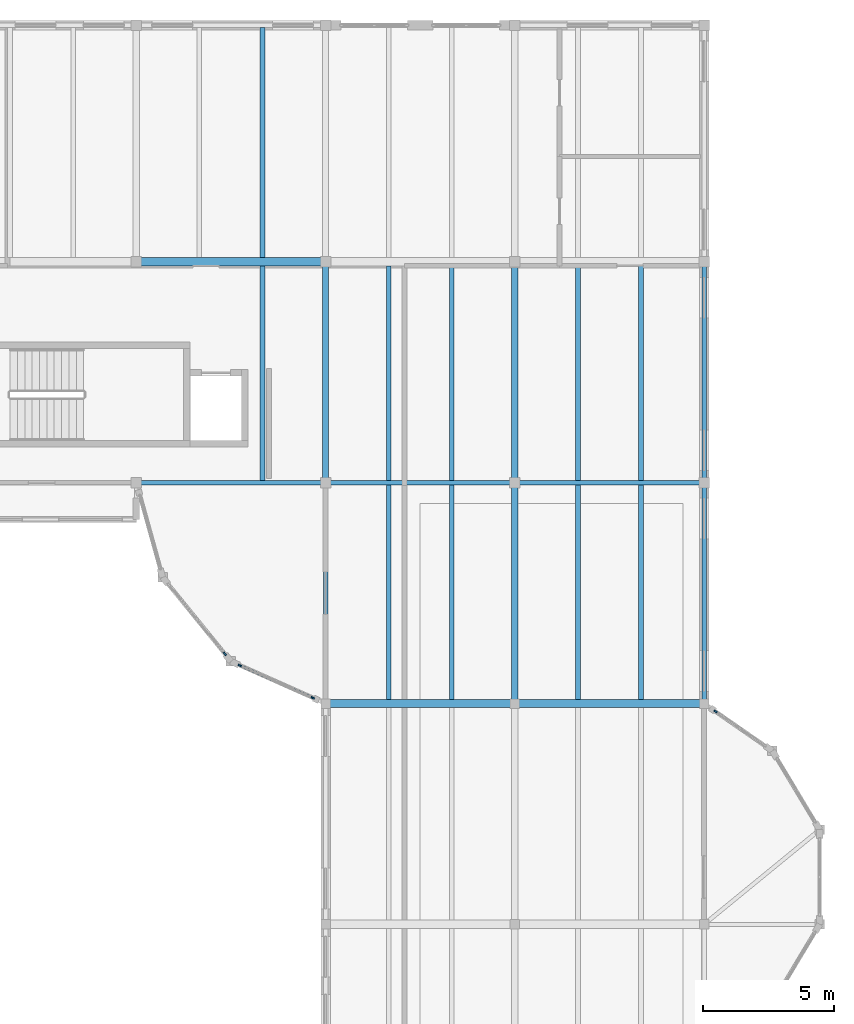
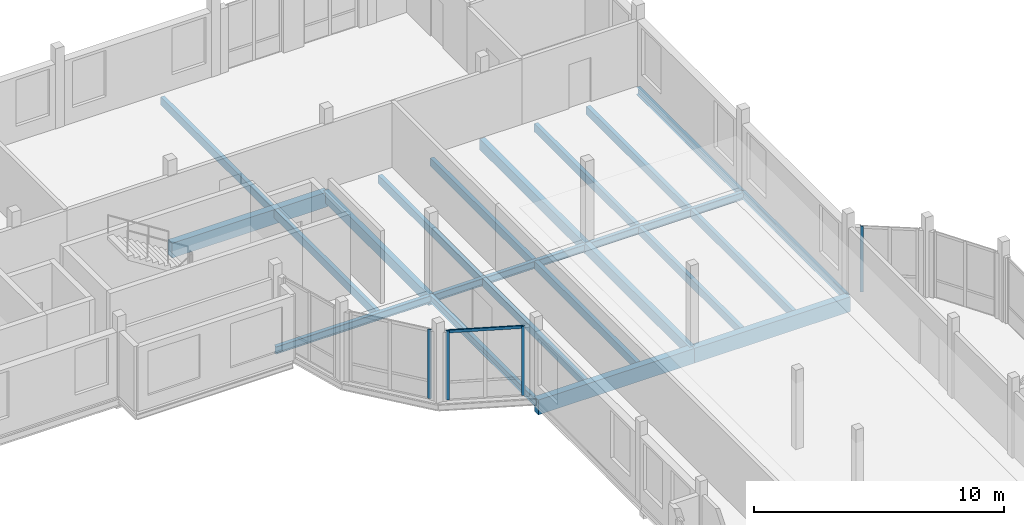
# One storey, part 20 of 57: 22 beams, 5 members, 3 elements without a shape of their own.
"""IFC4 building model written with IfcOpenShell, lengths in metres."""

import ifcopenshell
import ifcopenshell.guid

model = None  # the IFC model being written
_history = None  # IfcOwnerHistory: only IFC2X3 demands one
_inside = {}  # id of a spatial element -> (the spatial element, [elements in it])
_under = {}  # id of a project, library or spatial element -> (it, [spatial elements below it])
_declared = {}  # id of a project -> (the project, [libraries it declares])
_typed = {}  # id of a type object -> (the type object, [elements of that type])
_made_of = {}  # id of a material, layer set ... -> (it, [elements and type objects made of it])


def new_model(schema):
    """Start an empty IFC model of exactly this schema.

    Asked for "IFC4X3", IfcOpenShell would pick the latest addendum, in which some entities
    have other attributes; the version numbers below select the first issue.
    IFC2X3 requires an IfcOwnerHistory on every rooted entity: one is made here for all.
    """
    global model, _history
    if schema == "IFC4X3":
        model = ifcopenshell.file(schema_version=(4, 3, 0, 0))
    else:
        model = ifcopenshell.file(schema=schema)
    _inside.clear()
    _under.clear()
    _declared.clear()
    _typed.clear()
    _made_of.clear()
    _history = None
    if model.schema == "IFC2X3":
        org = make("IfcOrganization", Name="unknown")
        user = make(
            "IfcPersonAndOrganization",
            ThePerson=make("IfcPerson", FamilyName="unknown"),
            TheOrganization=org,
        )
        app = make(
            "IfcApplication",
            ApplicationDeveloper=org,
            Version="unknown",
            ApplicationFullName="unknown",
            ApplicationIdentifier="unknown",
        )
        _history = make(
            "IfcOwnerHistory",
            OwningUser=user,
            OwningApplication=app,
            ChangeAction="ADDED",
            CreationDate=0,
        )
    return model


def make(cls, **values):
    """One entity of the class cls with the attributes given. An attribute that is None is left unset."""
    return model.create_entity(
        cls, **{name: value for name, value in values.items() if value is not None}
    )


def rooted(cls, **values):
    """An entity with a GlobalId (a new one), such as an element, a storey or a relation."""
    return make(cls, GlobalId=ifcopenshell.guid.new(), OwnerHistory=_history, **values)


def si_unit(unit_type, name, prefix=None):
    """IfcSIUnit, for example si_unit("LENGTHUNIT", "METRE", prefix="MILLI")."""
    return make("IfcSIUnit", UnitType=unit_type, Prefix=prefix, Name=name)


def assignment(units):
    """IfcUnitAssignment: the units of a project."""
    return None if units is None else make("IfcUnitAssignment", Units=units)


def point(xyz):
    """IfcCartesianPoint."""
    return None if xyz is None else make("IfcCartesianPoint", Coordinates=xyz)


def direction(xyz):
    """IfcDirection."""
    return None if xyz is None else make("IfcDirection", DirectionRatios=xyz)


def frame(location, z_axis=None, x_axis=None):
    """IfcAxis2Placement3D, a coordinate frame: its origin and axes. An axis left out is left unset."""
    return make(
        "IfcAxis2Placement3D",
        Location=point(location),
        Axis=direction(z_axis),
        RefDirection=direction(x_axis),
    )


def frame_2d(location, x_axis=None):
    """IfcAxis2Placement2D, a coordinate frame in the plane: its origin and x axis."""
    return make(
        "IfcAxis2Placement2D", Location=point(location), RefDirection=direction(x_axis)
    )


def origin():
    """The frame at (0, 0, 0) with its axes left unset."""
    return frame((0.0, 0.0, 0.0))


def origin_2d():
    """The frame at (0, 0) in the plane with its x axis left unset."""
    return frame_2d((0.0, 0.0))


def place(relative_to, where):
    """IfcLocalPlacement: puts the frame where relative to a parent placement (None: the world)."""
    return make(
        "IfcLocalPlacement", PlacementRelTo=relative_to, RelativePlacement=where
    )


def context(
    kind, dimensions, precision=None, world=None, true_north=None, identifier=None
):
    """IfcGeometricRepresentationContext, for example the 3D "Model" context."""
    return make(
        "IfcGeometricRepresentationContext",
        ContextIdentifier=identifier,
        ContextType=kind,
        CoordinateSpaceDimension=dimensions,
        Precision=precision,
        WorldCoordinateSystem=world,
        TrueNorth=true_north,
    )


def subcontext(parent, identifier, kind, view, scale=None):
    """IfcGeometricRepresentationSubContext, for example "Body" below "Model"."""
    return make(
        "IfcGeometricRepresentationSubContext",
        ContextIdentifier=identifier,
        ContextType=kind,
        ParentContext=parent,
        TargetScale=scale,
        TargetView=view,
    )


def project(units=None, contexts=None):
    """IfcProject with its units and contexts."""
    return rooted(
        "IfcProject",
        Name="project",
        RepresentationContexts=contexts,
        UnitsInContext=assignment(units),
    )


def spatial(cls, under=None, at=None, **own):
    """A site, building, storey or space (cls), placed at a placement, below another one or the project."""
    s = rooted(cls, ObjectPlacement=at, **own)
    if under is not None:
        _under.setdefault(under.id(), (under, []))[1].append(s)
    return s


def profile(cls, at=None, kind="AREA", **sizes):
    """A parametric profile (cls). Its sizes go by their IFC names, for example OverallWidth=200.0."""
    return make(cls, ProfileType=kind, Position=at, **sizes)


def rectangle(**sizes):
    """IfcRectangleProfileDef."""
    return profile("IfcRectangleProfileDef", **sizes)


def i_section(**sizes):
    """IfcIShapeProfileDef."""
    return profile("IfcIShapeProfileDef", **sizes)


def extrude(swept, where, along, depth):
    """IfcExtrudedAreaSolid: the profile swept, set in the frame where, extruded along a direction by depth."""
    return make(
        "IfcExtrudedAreaSolid",
        SweptArea=swept,
        Position=where,
        ExtrudedDirection=direction(along),
        Depth=depth,
    )


def shape(context_of_items, identifier, shape_type, items):
    """IfcShapeRepresentation: the items that make up one representation, for example the "Body"."""
    return make(
        "IfcShapeRepresentation",
        ContextOfItems=context_of_items,
        RepresentationIdentifier=identifier,
        RepresentationType=shape_type,
        Items=items,
    )


def material(Name=None, Category=None):
    """IfcMaterial."""
    return make("IfcMaterial", Name=Name, Category=Category)


def material_profile(
    of_material, cross_section, Name=None, Category=None, Priority=None
):
    """IfcMaterialProfile: a cross section and its material."""
    return make(
        "IfcMaterialProfile",
        Name=Name,
        Material=of_material,
        Profile=cross_section,
        Priority=Priority,
        Category=Category,
    )


def profile_set(profiles, Name=None, composite=None):
    """IfcMaterialProfileSet."""
    return make(
        "IfcMaterialProfileSet",
        Name=Name,
        MaterialProfiles=profiles,
        CompositeProfile=composite,
    )


def made_of(thing, what):
    """Note that an element or type object is made of a material, layer set ...; save() writes the relation."""
    if what is not None:
        _made_of.setdefault(what.id(), (what, []))[1].append(thing)
    return thing


def type_object(cls, material=None, **own):
    """A type object (cls), such as IfcWallType, which elements share."""
    return made_of(rooted(cls, **own), material)


def element(
    cls,
    number,
    at=None,
    inside=None,
    cuts=None,
    type_object=None,
    material=None,
    context=None,
    identifier="Body",
    shape_type=None,
    held_by="IfcProductDefinitionShape",
    body=None,
    shapes=None,
    **own,
):
    """One element of the class cls, such as IfcWall. Its Tag is "e" and its number.

    at: its placement. inside: the storey or other place that contains it. cuts: it is an
    opening in that element (IfcRelVoidsElement). A single representation is given by context,
    identifier, shape_type and body (its items); several are given by shapes. held_by: the class
    of the entity that holds the representations. save() writes the other relations.
    """
    e = rooted(cls, Tag="e%d" % number, ObjectPlacement=at, **own)
    if body is not None:
        shapes = [shape(context, identifier, shape_type, body)]
    if shapes is not None:
        e.Representation = make(held_by, Representations=shapes)
    if inside is not None:
        _inside.setdefault(inside.id(), (inside, []))[1].append(e)
    if cuts is not None:
        rooted(
            "IfcRelVoidsElement", RelatingBuildingElement=cuts, RelatedOpeningElement=e
        )
    if type_object is not None:
        _typed.setdefault(type_object.id(), (type_object, []))[1].append(e)
    return made_of(e, material)


def aggregate(whole, parts):
    """IfcRelAggregates: a whole, such as a stair, and the parts it consists of."""
    return rooted("IfcRelAggregates", RelatingObject=whole, RelatedObjects=parts)


def save(model, path):
    """Write the relations noted so far, then the file.

    IfcRelAggregates (storeys below a building ...), IfcRelContainedInSpatialStructure (elements
    in a storey), IfcRelDefinesByType, IfcRelAssociatesMaterial and IfcRelDeclares: one each for
    every whole, place, type object, material and project.
    """
    for whole, parts in _under.values():
        aggregate(whole, parts)
    for where, things in _inside.values():
        rooted(
            "IfcRelContainedInSpatialStructure",
            RelatedElements=things,
            RelatingStructure=where,
        )
    for kind, things in _typed.values():
        rooted("IfcRelDefinesByType", RelatedObjects=things, RelatingType=kind)
    for what, things in _made_of.values():
        rooted("IfcRelAssociatesMaterial", RelatedObjects=things, RelatingMaterial=what)
    for by, libraries in _declared.values():
        rooted("IfcRelDeclares", RelatingContext=by, RelatedDefinitions=libraries)
    model.write(path)


model = new_model("IFC4")

# Units and contexts
model_context = context("Model", 3, precision=1e-05, world=origin(), true_north=direction((0.0, 1.0)))
body_context = subcontext(model_context, "Body", "Model", "MODEL_VIEW")
ifc_project = project(units=[si_unit("LENGTHUNIT", "METRE"), si_unit("AREAUNIT", "SQUARE_METRE"), si_unit("VOLUMEUNIT", "CUBIC_METRE"), si_unit("PLANEANGLEUNIT", "RADIAN"), si_unit("MASSUNIT", "GRAM", prefix="KILO")], contexts=[model_context])

# Site, building, storey
site_placement = place(None, origin())
site = spatial("IfcSite", under=ifc_project, at=site_placement, CompositionType="ELEMENT")
building_placement = place(site_placement, origin())
building = spatial("IfcBuilding", under=site, at=building_placement, Name="Kahlenmark Community Centre", CompositionType="ELEMENT")
storey_placement = place(building_placement, frame((0.0, 0.0, 13.800048828125)))
storey = spatial("IfcBuildingStorey", under=building, at=storey_placement, Name="L03", CompositionType="ELEMENT", Elevation=13.800048828125)

# Beams
ifc_material_1 = material(Name="Glulam GL32h", Category="wood")
ifc_material_profile_1 = material_profile(ifc_material_1, rectangle(XDim=0.239990234375, YDim=0.52001953125, at=origin_2d()), Name="GL32h 240x520")
ifc_profile_set_1 = profile_set([ifc_material_profile_1], Name="Glulam GL32h")
beam_type_1 = type_object("IfcBeamType", Name="BT-BEAM-GL32h240x520", PredefinedType="BEAM", material=ifc_profile_set_1)
for number, where, z_axis, x_axis, name in (
    (1, (72.39990234375, 97.60009765625, -0.47998046875), (0.0, 1.0, 0.0), (-1.0, 0.0, 0.0), "L03 beam BG-GL32h240x520"),
    (2, (79.60009765625, 97.60009765625, -0.47998046875), (0.0, 1.0, 0.0), (-1.0, 0.0, 0.0), "L03 beam BG-GL32h240x520"),
):
    element("IfcBeam", number, at=place(storey_placement, frame(where, z_axis=z_axis, x_axis=x_axis)), inside=storey, type_object=beam_type_1, Name=name, PredefinedType="BEAM", context=body_context, shape_type="SweptSolid", body=[
        extrude(rectangle(XDim=0.239990234375, YDim=0.52001953125, at=origin_2d()), origin(), (0.0, 0.0, 1.0), 8.39990234375),
    ])
beam_1_placement = place(storey_placement, frame((79.60009765625, 89.199951171875, -0.4599609375), z_axis=(0.0, 1.0, 0.0), x_axis=(-1.0, 0.0, 0.0)))
element("IfcBeam", 3, at=beam_1_placement, inside=storey, type_object=beam_type_1, Name="L03 beam BG-GL32h240x520", PredefinedType="BEAM", context=body_context, shape_type="SweptSolid", body=[
    extrude(rectangle(XDim=0.239990234375, YDim=0.52001953125, at=origin_2d()), origin(), (0.0, 0.0, 1.0), 8.400146484375),
])
ifc_material_profile_2 = material_profile(ifc_material_1, rectangle(XDim=0.320068359375, YDim=0.719970703125, at=origin_2d()), Name="GL32h 320x720")
ifc_profile_set_2 = profile_set([ifc_material_profile_2], Name="Glulam GL32h")
beam_type_2 = type_object("IfcBeamType", Name="BT-BEAM-GL32h320x720", PredefinedType="BEAM", material=ifc_profile_set_2)
beam_2_placement = place(storey_placement, frame((65.199951171875, 106.0, -0.580078125), z_axis=(1.0, 0.0, 0.0), x_axis=(0.0, 1.0, 0.0)))
element("IfcBeam", 4, at=beam_2_placement, inside=storey, type_object=beam_type_2, Name="L03 beam BG-GL32h320x720", PredefinedType="BEAM", context=body_context, shape_type="SweptSolid", body=[
    extrude(rectangle(XDim=0.320068359375, YDim=0.719970703125, at=origin_2d()), origin(), (0.0, 0.0, 1.0), 7.199951171875),
])
beam_3_placement = place(storey_placement, frame((72.39990234375, 89.199951171875, -0.56005859375), z_axis=(1.0, 0.0, 0.0), x_axis=(0.0, 1.0, 0.0)))
element("IfcBeam", 5, at=beam_3_placement, inside=storey, type_object=beam_type_2, Name="L03 beam BG-GL32h320x720", PredefinedType="BEAM", context=body_context, shape_type="SweptSolid", body=[
    extrude(rectangle(XDim=0.320068359375, YDim=0.719970703125, at=origin_2d()), origin(), (0.0, 0.0, 1.0), 7.2001953125),
])
beam_4_placement = place(storey_placement, frame((79.60009765625, 89.199951171875, -0.56005859375), z_axis=(1.0, 0.0, 0.0), x_axis=(0.0, 1.0, 0.0)))
element("IfcBeam", 6, at=beam_4_placement, inside=storey, type_object=beam_type_2, Name="L03 beam BG-GL32h320x720", PredefinedType="BEAM", context=body_context, shape_type="SweptSolid", body=[
    extrude(rectangle(XDim=0.320068359375, YDim=0.719970703125, at=origin_2d()), origin(), (0.0, 0.0, 1.0), 7.199951171875),
])
ifc_material_2 = material(Name="Glulam GL28h", Category="wood")
ifc_material_profile_3 = material_profile(ifc_material_2, rectangle(XDim=0.179931640625, YDim=0.39990234375, at=origin_2d()), Name="GL28h 180x400")
ifc_profile_set_3 = profile_set([ifc_material_profile_3], Name="Glulam GL28h")
beam_type_3 = type_object("IfcBeamType", Name="BT-JOIST-GL28h180x400", PredefinedType="JOIST", material=ifc_profile_set_3)
beam_5_placement = place(storey_placement, frame((70.0, 97.68310546875, -0.420166015625), z_axis=(0.0, 1.0, 0.0), x_axis=(-1.0, 0.0, 0.0)))
element("IfcBeam", 7, at=beam_5_placement, inside=storey, type_object=beam_type_3, Name="L03 joist BJ-GL28h180x400", PredefinedType="JOIST", context=body_context, shape_type="SweptSolid", body=[
    extrude(rectangle(XDim=0.179931640625, YDim=0.39990234375, at=origin_2d()), origin(), (0.0, 0.0, 1.0), 8.158935546875),
])
beam_6_placement = place(storey_placement, frame((70.0, 106.157958984375, -0.420166015625), z_axis=(0.0, 1.0, 0.0), x_axis=(-1.0, 0.0, 0.0)))
element("IfcBeam", 8, at=beam_6_placement, inside=storey, type_object=beam_type_3, Name="L03 joist BJ-GL28h180x400", PredefinedType="JOIST", context=body_context, shape_type="SweptSolid", body=[
    extrude(rectangle(XDim=0.179931640625, YDim=0.39990234375, at=origin_2d()), origin(), (0.0, 0.0, 1.0), 8.759033203125),
])
for number, where, z_axis, x_axis, name in (
    (9, (74.800048828125, 97.68310546875, -0.420166015625), (0.0, 1.0, 0.0), (-1.0, 0.0, 0.0), "L03 joist BJ-GL28h180x400"),
    (10, (77.199951171875, 97.68310546875, -0.420166015625), (0.0, 1.0, 0.0), (-1.0, 0.0, 0.0), "L03 joist BJ-GL28h180x400"),
    (11, (82.0, 97.68310546875, -0.420166015625), (0.0, 1.0, 0.0), (-1.0, 0.0, 0.0), "L03 joist BJ-GL28h180x400"),
    (12, (84.39990234375, 97.68310546875, -0.420166015625), (0.0, 1.0, 0.0), (-1.0, 0.0, 0.0), "L03 joist BJ-GL28h180x400"),
):
    element("IfcBeam", number, at=place(storey_placement, frame(where, z_axis=z_axis, x_axis=x_axis)), inside=storey, type_object=beam_type_3, Name=name, PredefinedType="JOIST", context=body_context, shape_type="SweptSolid", body=[
        extrude(rectangle(XDim=0.179931640625, YDim=0.39990234375, at=origin_2d()), origin(), (0.0, 0.0, 1.0), 8.158935546875),
    ])
for number, where, z_axis, x_axis, name in (
    (13, (74.800048828125, 89.35791015625, -0.400146484375), (0.0, 1.0, 0.0), (-1.0, 0.0, 0.0), "L03 joist BJ-GL28h180x400"),
    (14, (77.199951171875, 89.35791015625, -0.400146484375), (0.0, 1.0, 0.0), (-1.0, 0.0, 0.0), "L03 joist BJ-GL28h180x400"),
    (15, (82.0, 89.35791015625, -0.400146484375), (0.0, 1.0, 0.0), (-1.0, 0.0, 0.0), "L03 joist BJ-GL28h180x400"),
    (16, (84.39990234375, 89.35791015625, -0.400146484375), (0.0, 1.0, 0.0), (-1.0, 0.0, 0.0), "L03 joist BJ-GL28h180x400"),
):
    element("IfcBeam", number, at=place(storey_placement, frame(where, z_axis=z_axis, x_axis=x_axis)), inside=storey, type_object=beam_type_3, Name=name, PredefinedType="JOIST", context=body_context, shape_type="SweptSolid", body=[
        extrude(rectangle(XDim=0.179931640625, YDim=0.39990234375, at=origin_2d()), origin(), (0.0, 0.0, 1.0), 8.1591796875),
    ])
ifc_material_3 = material(Name="Steel S355", Category="steel")
ifc_material_profile_4 = material_profile(ifc_material_3, i_section(OverallWidth=0.169921875, OverallDepth=0.360107421875, WebThickness=0.008056640625, FlangeThickness=0.0126953125, at=origin_2d()), Name="IPE 360")
ifc_profile_set_4 = profile_set([ifc_material_profile_4], Name="Steel S355")
beam_type_4 = type_object("IfcBeamType", Name="BT-SPANDREL-IPE360", PredefinedType="SPANDREL", material=ifc_profile_set_4)
beam_7_placement = place(storey_placement, frame((65.199951171875, 97.60009765625, -0.400146484375), z_axis=(1.0, 0.0, 0.0), x_axis=(0.0, 1.0, 0.0)))
element("IfcBeam", 17, at=beam_7_placement, inside=storey, type_object=beam_type_4, Name="L03 spandrel SP-IPE360", PredefinedType="SPANDREL", context=body_context, shape_type="SweptSolid", body=[
    extrude(i_section(OverallWidth=0.169921875, OverallDepth=0.360107421875, WebThickness=0.008056640625, FlangeThickness=0.0126953125, at=origin_2d()), origin(), (0.0, 0.0, 1.0), 7.199951171875),
])
beam_8_placement = place(storey_placement, frame((72.39990234375, 97.60009765625, -0.400146484375), z_axis=(1.0, 0.0, 0.0), x_axis=(0.0, 1.0, 0.0)))
element("IfcBeam", 18, at=beam_8_placement, inside=storey, type_object=beam_type_4, Name="L03 spandrel SP-IPE360", PredefinedType="SPANDREL", context=body_context, shape_type="SweptSolid", body=[
    extrude(i_section(OverallWidth=0.169921875, OverallDepth=0.360107421875, WebThickness=0.008056640625, FlangeThickness=0.0126953125, at=origin_2d()), origin(), (0.0, 0.0, 1.0), 7.2001953125),
])
beam_9_placement = place(storey_placement, frame((79.60009765625, 97.60009765625, -0.400146484375), z_axis=(1.0, 0.0, 0.0), x_axis=(0.0, 1.0, 0.0)))
element("IfcBeam", 19, at=beam_9_placement, inside=storey, type_object=beam_type_4, Name="L03 spandrel SP-IPE360", PredefinedType="SPANDREL", context=body_context, shape_type="SweptSolid", body=[
    extrude(i_section(OverallWidth=0.169921875, OverallDepth=0.360107421875, WebThickness=0.008056640625, FlangeThickness=0.0126953125, at=origin_2d()), origin(), (0.0, 0.0, 1.0), 7.199951171875),
])
beam_10_placement = place(storey_placement, frame((86.800048828125, 97.60009765625, -0.400146484375), z_axis=(0.0, 1.0, 0.0), x_axis=(-1.0, 0.0, 0.0)))
element("IfcBeam", 20, at=beam_10_placement, inside=storey, type_object=beam_type_4, Name="L03 spandrel SP-IPE360", PredefinedType="SPANDREL", context=body_context, shape_type="SweptSolid", body=[
    extrude(i_section(OverallWidth=0.169921875, OverallDepth=0.360107421875, WebThickness=0.008056640625, FlangeThickness=0.0126953125, at=origin_2d()), origin(), (0.0, 0.0, 1.0), 8.39990234375),
])
for number, where, z_axis, x_axis, name in (
    (21, (72.39990234375, 89.199951171875, -0.380126953125), (0.0, 1.0, 0.0), (-1.0, 0.0, 0.0), "L03 spandrel SP-IPE360"),
    (22, (86.800048828125, 89.199951171875, -0.380126953125), (0.0, 1.0, 0.0), (-1.0, 0.0, 0.0), "L03 spandrel SP-IPE360"),
):
    element("IfcBeam", number, at=place(storey_placement, frame(where, z_axis=z_axis, x_axis=x_axis)), inside=storey, type_object=beam_type_4, Name=name, PredefinedType="SPANDREL", context=body_context, shape_type="SweptSolid", body=[
        extrude(i_section(OverallWidth=0.169921875, OverallDepth=0.360107421875, WebThickness=0.008056640625, FlangeThickness=0.0126953125, at=origin_2d()), origin(), (0.0, 0.0, 1.0), 8.400146484375),
    ])

# Curtain wall, member
ifc_material_4 = material(Name="Anodised aluminium unitised curtain wall", Category="aluminium")
curtain_wall_type_1 = type_object("IfcCurtainWallType", Name="CWT-UNIT-232X320", PredefinedType="USERDEFINED", material=ifc_material_4)
curtain_wall_1_placement = place(storey_placement, origin())
curtain_wall_1 = element("IfcCurtainWall", 23, at=curtain_wall_1_placement, inside=storey, type_object=curtain_wall_type_1, Name="Unitised curtain wall CW-165", ObjectType="UNITISED CURTAIN WALL", PredefinedType="USERDEFINED")
ifc_material_5 = material(Name="Anodised aluminium 6063-T6", Category="aluminium")
ifc_material_profile_5 = material_profile(ifc_material_5, rectangle(XDim=0.06005859375, YDim=0.139892578125, at=origin_2d()), Name="ALU MULLION 60x140")
ifc_profile_set_5 = profile_set([ifc_material_profile_5], Name="Anodised aluminium 6063-T6")
member_type_1 = type_object("IfcMemberType", Name="MT-MUL-140", PredefinedType="MULLION", material=ifc_profile_set_5)
member_1_placement = place(storey_placement, frame((87.23583984375, 88.898193359375, 0.0), z_axis=(0.0, 0.0, 1.0), x_axis=(-0.56921208065, -0.822190736534, 0.0)))
member_1 = element("IfcMember", 24, at=member_1_placement, type_object=member_type_1, Name="CW-165 mullion 3", PredefinedType="MULLION", context=body_context, shape_type="SweptSolid", body=[
    extrude(rectangle(XDim=0.06005859375, YDim=0.139892578125, at=origin_2d()), origin(), (0.0, 0.0, 1.0), 3.199951171875),
])
aggregate(curtain_wall_1, [member_1])

curtain_wall_type_2 = type_object("IfcCurtainWallType", Name="CWT-UNIT-344X337", PredefinedType="USERDEFINED", material=ifc_material_4)
curtain_wall_2_placement = place(storey_placement, origin())
curtain_wall_2 = element("IfcCurtainWall", 25, at=curtain_wall_2_placement, inside=storey, type_object=curtain_wall_type_2, Name="Unitised curtain wall CW-183", ObjectType="UNITISED CURTAIN WALL", PredefinedType="USERDEFINED")
member_2_placement = place(storey_placement, frame((68.566650390625, 91.087158203125, 0.0), z_axis=(0.0, 0.0, 1.0), x_axis=(0.776109145231, 0.63059860029, 0.0)))
member_2 = element("IfcMember", 26, at=member_2_placement, type_object=member_type_1, Name="CW-183 mullion 3", PredefinedType="MULLION", context=body_context, shape_type="SweptSolid", body=[
    extrude(rectangle(XDim=0.06005859375, YDim=0.139892578125, at=origin_2d()), origin(), (0.0, 0.0, 1.0), 3.369873046875),
])
aggregate(curtain_wall_2, [member_2])

# Curtain wall, members
curtain_wall_type_3 = type_object("IfcCurtainWallType", Name="CWT-UNIT-310X337", PredefinedType="USERDEFINED", material=ifc_material_4)
curtain_wall_3_placement = place(storey_placement, origin())
curtain_wall_3 = element("IfcCurtainWall", 27, at=curtain_wall_3_placement, inside=storey, type_object=curtain_wall_type_3, Name="Unitised curtain wall CW-184", ObjectType="UNITISED CURTAIN WALL", PredefinedType="USERDEFINED")
member_3_placement = place(storey_placement, frame((69.13818359375, 90.649658203125, 0.0), z_axis=(0.0, 0.0, 1.0), x_axis=(0.406125882643, 0.913817141143, 0.0)))
member_3 = element("IfcMember", 28, at=member_3_placement, type_object=member_type_1, Name="CW-184 mullion 1", PredefinedType="MULLION", context=body_context, shape_type="SweptSolid", body=[
    extrude(rectangle(XDim=0.06005859375, YDim=0.139892578125, at=origin_2d()), origin(), (0.0, 0.0, 1.0), 3.369873046875),
])
member_4_placement = place(storey_placement, frame((71.915771484375, 89.415283203125, 0.0), z_axis=(0.0, 0.0, 1.0), x_axis=(0.406125882643, 0.913817141143, 0.0)))
member_4 = element("IfcMember", 29, at=member_4_placement, type_object=member_type_1, Name="CW-184 mullion 3", PredefinedType="MULLION", context=body_context, shape_type="SweptSolid", body=[
    extrude(rectangle(XDim=0.06005859375, YDim=0.139892578125, at=origin_2d()), origin(), (0.0, 0.0, 1.0), 3.369873046875),
])
ifc_material_profile_6 = material_profile(ifc_material_5, rectangle(XDim=0.06005859375, YDim=0.139892578125, at=origin_2d()), Name="ALU TRANSOM 60x140")
ifc_profile_set_6 = profile_set([ifc_material_profile_6], Name="Anodised aluminium 6063-T6")
member_type_2 = type_object("IfcMemberType", Name="MT-TRN-140", PredefinedType="USERDEFINED", material=ifc_profile_set_6)
member_5_placement = place(storey_placement, frame((69.13818359375, 90.649658203125, 3.329833984375), z_axis=(0.913824797144, -0.406108655565, 0.0), x_axis=(0.406108655565, 0.913824797144, 0.0)))
member_5 = element("IfcMember", 30, at=member_5_placement, type_object=member_type_2, Name="CW-184 transom 3", ObjectType="TRANSOM", PredefinedType="USERDEFINED", context=body_context, shape_type="SweptSolid", body=[
    extrude(rectangle(XDim=0.06005859375, YDim=0.139892578125, at=origin_2d()), origin(), (0.0, 0.0, 1.0), 3.03955078125),
])
aggregate(curtain_wall_3, [member_3, member_4, member_5])

save(model, "model.ifc")
